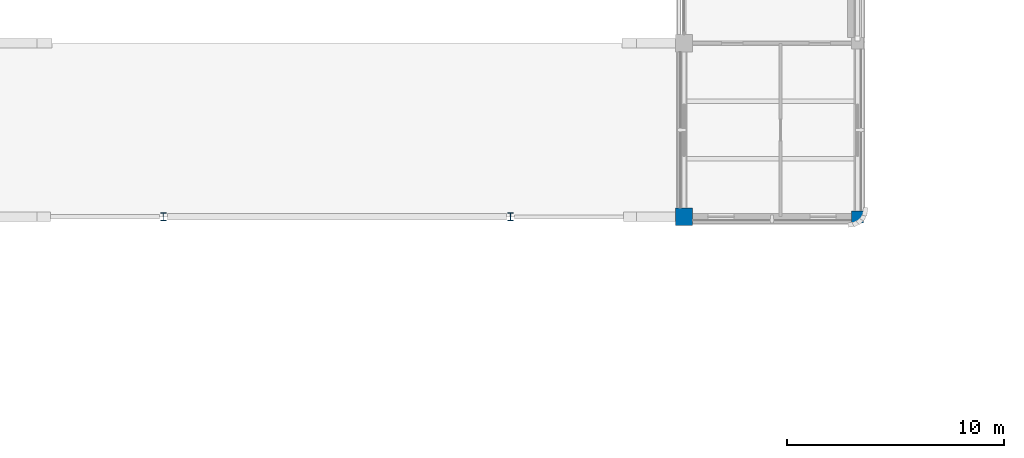
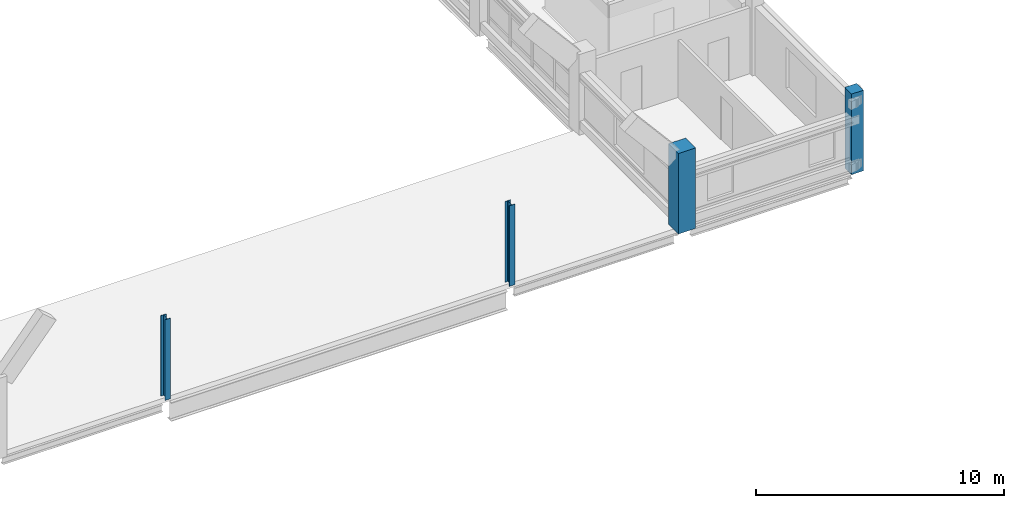
# One storey, part 2 of 92: 4 columns.
"""IFC4 building model written with IfcOpenShell, lengths in metres."""

from ifc_helpers import new_model, si_unit, derived_unit, direction, frame, origin, origin_2d, place, context, subcontext, project, spatial, rectangle, i_section, extrude, material, material_profile, profile_set, type_object, element, save


model = new_model("IFC4")

# Units and contexts
model_context = context("Model", 3, precision=1e-05, world=origin(), true_north=direction((0.0, 1.0)))
body_context = subcontext(model_context, "Body", "Model", "MODEL_VIEW")
ifc_project = project(units=[si_unit("LENGTHUNIT", "METRE"), si_unit("AREAUNIT", "SQUARE_METRE"), si_unit("VOLUMEUNIT", "CUBIC_METRE"), si_unit("PLANEANGLEUNIT", "RADIAN"), si_unit("MASSUNIT", "GRAM", prefix="KILO"), derived_unit("THERMALTRANSMITTANCEUNIT", [(si_unit("MASSUNIT", "GRAM", prefix="KILO"), 1), (si_unit("TIMEUNIT", "SECOND"), -3), (si_unit("THERMODYNAMICTEMPERATUREUNIT", "KELVIN"), -1)])], contexts=[model_context])

# Site, building, storey
site_placement = place(None, origin())
site = spatial("IfcSite", under=ifc_project, at=site_placement, CompositionType="ELEMENT")
building_placement = place(site_placement, origin())
building = spatial("IfcBuilding", under=site, at=building_placement, Name="Veyamyaing Civic Hall", CompositionType="ELEMENT")
storey_placement = place(building_placement, frame((0.0, 0.0, 17.820068359375)))
storey = spatial("IfcBuildingStorey", under=building, at=storey_placement, Name="L04", CompositionType="ELEMENT", Elevation=17.820068359375)

# Columns
ifc_material_1 = material(Name="Concrete C45/55", Category="concrete")
ifc_material_profile_1 = material_profile(ifc_material_1, rectangle(XDim=0.800048828125, YDim=0.800048828125, at=origin_2d()), Name="RC-COL-800X800")
ifc_profile_set_1 = profile_set([ifc_material_profile_1], Name="Concrete C45/55")
column_type_1 = type_object("IfcColumnType", Name="C-02", PredefinedType="COLUMN", material=ifc_profile_set_1)
column_1_placement = place(storey_placement, frame((104.0, 24.0, 0.0), z_axis=(0.0, 0.0, 1.0), x_axis=(1.0, 0.0, 0.0)))
element("IfcColumn", 1, at=column_1_placement, inside=storey, type_object=column_type_1, Name="Column C-02 14-D L04", PredefinedType="COLUMN", context=body_context, shape_type="SweptSolid", body=[
    extrude(rectangle(XDim=0.800048828125, YDim=0.800048828125, at=origin_2d()), origin(), (0.0, 0.0, 1.0), 3.9599609375),
])
ifc_material_profile_2 = material_profile(ifc_material_1, rectangle(XDim=0.550048828125, YDim=0.550048828125, at=origin_2d()), Name="RC-COL-550X550")
ifc_profile_set_2 = profile_set([ifc_material_profile_2], Name="Concrete C45/55")
column_type_2 = type_object("IfcColumnType", Name="C-07", PredefinedType="COLUMN", material=ifc_profile_set_2)
column_2_placement = place(storey_placement, frame((112.0, 24.0, 0.0), z_axis=(0.0, 0.0, 1.0), x_axis=(1.0, 0.0, 0.0)))
element("IfcColumn", 2, at=column_2_placement, inside=storey, type_object=column_type_2, Name="Column C-07 15-D L04", PredefinedType="COLUMN", context=body_context, shape_type="SweptSolid", body=[
    extrude(rectangle(XDim=0.550048828125, YDim=0.550048828125, at=origin_2d()), origin(), (0.0, 0.0, 1.0), 3.9599609375),
])
ifc_material_2 = material(Name="Steel S355J2", Category="steel")
ifc_material_profile_3 = material_profile(ifc_material_2, i_section(OverallWidth=0.256103515625, OverallDepth=0.360107421875, WebThickness=0.011474609375, FlangeThickness=0.02001953125, FilletRadius=0.011962890625, at=origin_2d()), Name="W360X110")
ifc_profile_set_3 = profile_set([ifc_material_profile_3], Name="Steel S355J2")
column_type_3 = type_object("IfcColumnType", Name="C-17", PredefinedType="COLUMN", material=ifc_profile_set_3)
for number, where, z_axis, x_axis, name in (
    (3, (80.0, 24.0, 0.0), (0.0, 0.0, 1.0), (1.0, 0.0, 0.0), "Column C-17 11-D L04"),
    (4, (96.0, 24.0, 0.0), (0.0, 0.0, 1.0), (1.0, 0.0, 0.0), "Column C-17 13-D L04"),
):
    element("IfcColumn", number, at=place(storey_placement, frame(where, z_axis=z_axis, x_axis=x_axis)), inside=storey, type_object=column_type_3, Name=name, PredefinedType="COLUMN", context=body_context, shape_type="SweptSolid", body=[
        extrude(i_section(OverallWidth=0.256103515625, OverallDepth=0.360107421875, WebThickness=0.011474609375, FlangeThickness=0.02001953125, FilletRadius=0.011962890625, at=origin_2d()), origin(), (0.0, 0.0, 1.0), 3.9599609375),
    ])

save(model, "model.ifc")
